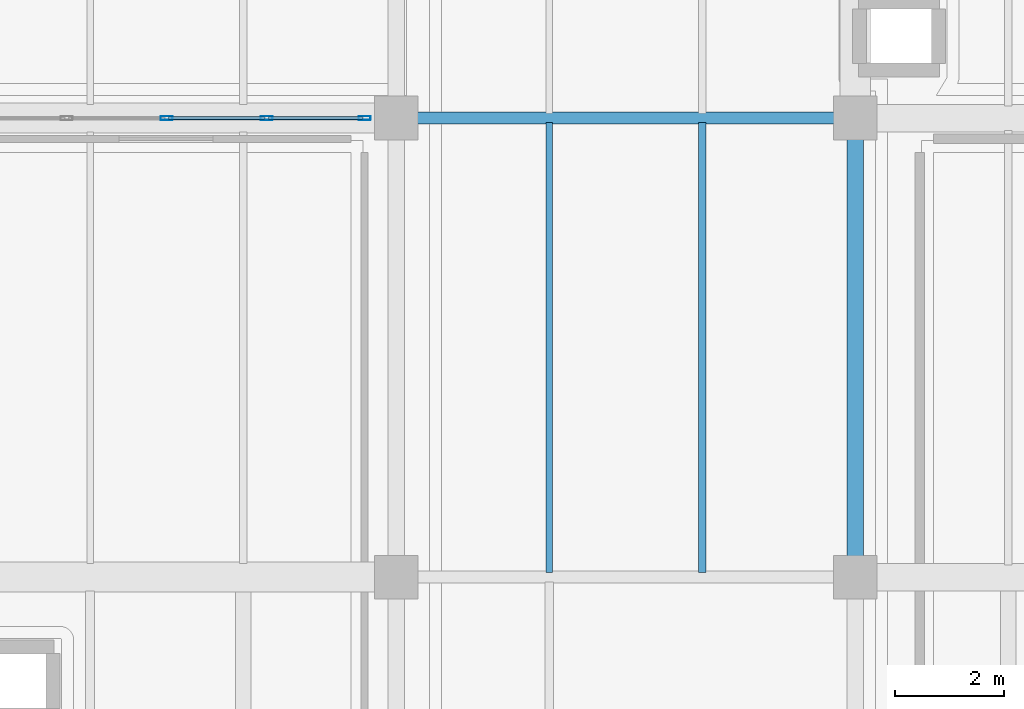
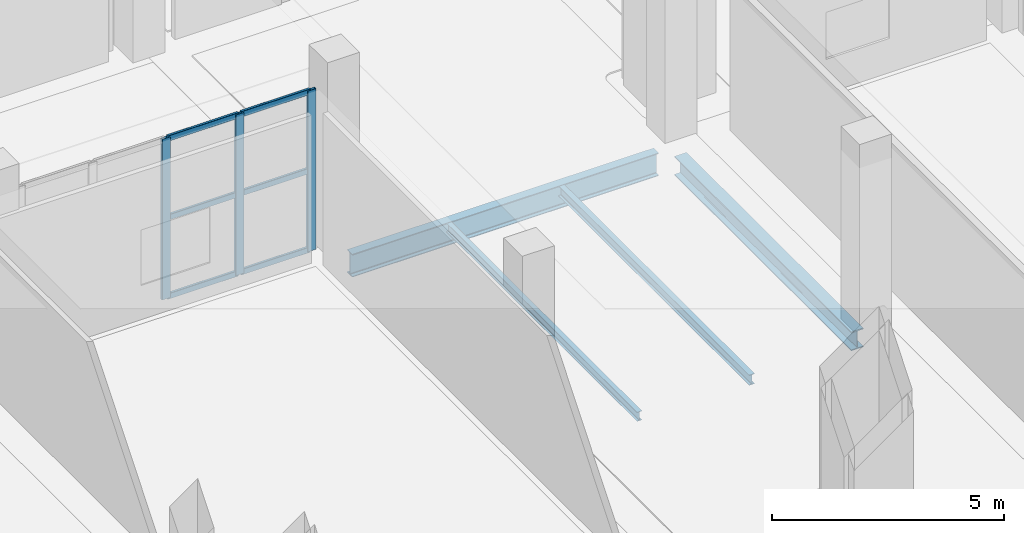
# One storey, part 34 of 73: 9 members, 4 beams, 1 element without a shape of its own.
"""IFC4 building model written with IfcOpenShell, lengths in metres."""

from ifc_helpers import new_model, si_unit, direction, frame, origin, origin_2d, place, context, subcontext, project, spatial, hollow_rectangle, i_section, extrude, material, layer, layer_set, material_profile, profile_set, type_object, element, aggregate, save


model = new_model("IFC4")

# Units and contexts
model_context = context("Model", 3, precision=1e-05, world=origin(), true_north=direction((0.0, 1.0)))
body_context = subcontext(model_context, "Body", "Model", "MODEL_VIEW")
ifc_project = project(units=[si_unit("LENGTHUNIT", "METRE"), si_unit("AREAUNIT", "SQUARE_METRE"), si_unit("VOLUMEUNIT", "CUBIC_METRE"), si_unit("PLANEANGLEUNIT", "RADIAN"), si_unit("MASSUNIT", "GRAM", prefix="KILO")], contexts=[model_context])

# Site, building, storey
site_placement = place(None, origin())
site = spatial("IfcSite", under=ifc_project, at=site_placement, CompositionType="ELEMENT")
building_placement = place(site_placement, origin())
building = spatial("IfcBuilding", under=site, at=building_placement, Name="Zulmaris Art Gallery", CompositionType="ELEMENT")
storey_placement = place(building_placement, frame((0.0, 0.0, 10.5)))
storey = spatial("IfcBuildingStorey", under=building, at=storey_placement, Name="L02", CompositionType="ELEMENT", Elevation=10.5)

# Beams
ifc_material_1 = material(Name="Steel S355J2", Category="steel")
ifc_material_profile_1 = material_profile(ifc_material_1, i_section(OverallWidth=0.219970703125, OverallDepth=0.60009765625, WebThickness=0.011962890625, FlangeThickness=0.01904296875, FilletRadius=0.02392578125, at=origin_2d()), Name="IPE 600")
ifc_profile_set_1 = profile_set([ifc_material_profile_1], Name="Steel S355J2")
beam_type_1 = type_object("IfcBeamType", Name="BEAM-BM07", PredefinedType="BEAM", material=ifc_profile_set_1)
beam_1_placement = place(storey_placement, frame((141.985107421875, 58.800048828125, -0.695068359375), z_axis=(1.0, 0.0, 0.0), x_axis=(0.0, 1.0, 0.0)))
element("IfcBeam", 1, at=beam_1_placement, inside=storey, type_object=beam_type_1, Name="L02 X-girder (141.6..150.0, y=58.8)", PredefinedType="BEAM", context=body_context, shape_type="SweptSolid", body=[
    extrude(i_section(OverallWidth=0.219970703125, OverallDepth=0.60009765625, WebThickness=0.011962890625, FlangeThickness=0.01904296875, FilletRadius=0.02392578125, at=origin_2d()), origin(), (0.0, 0.0, 1.0), 7.6298828125),
])
ifc_material_profile_2 = material_profile(ifc_material_1, i_section(OverallWidth=0.300048828125, OverallDepth=0.5, WebThickness=0.014404296875, FlangeThickness=0.028076171875, FilletRadius=0.027099609375, at=origin_2d()), Name="HEB 500")
ifc_profile_set_2 = profile_set([ifc_material_profile_2], Name="Steel S355J2")
beam_type_2 = type_object("IfcBeamType", Name="BEAM-BM14", PredefinedType="BEAM", material=ifc_profile_set_2)
beam_2_placement = place(storey_placement, frame((150.0, 50.784912109375, -0.64501953125), z_axis=(0.0, 1.0, 0.0), x_axis=(-1.0, 0.0, 0.0)))
element("IfcBeam", 2, at=beam_2_placement, inside=storey, type_object=beam_type_2, Name="L02 Y-girder (x=150.0, 50.4..58.8)", PredefinedType="BEAM", context=body_context, shape_type="SweptSolid", body=[
    extrude(i_section(OverallWidth=0.300048828125, OverallDepth=0.5, WebThickness=0.014404296875, FlangeThickness=0.028076171875, FilletRadius=0.027099609375, at=origin_2d()), origin(), (0.0, 0.0, 1.0), 7.630126953125),
])
ifc_material_profile_3 = material_profile(ifc_material_1, i_section(OverallWidth=0.1201171875, OverallDepth=0.239990234375, WebThickness=0.006103515625, FlangeThickness=0.009765625, FilletRadius=0.014892578125, at=origin_2d()), Name="IPE 240")
ifc_profile_set_3 = profile_set([ifc_material_profile_3], Name="Steel S355J2")
beam_type_3 = type_object("IfcBeamType", Name="BEAM-JS01", PredefinedType="JOIST", material=ifc_profile_set_3)
beam_3_placement = place(storey_placement, frame((144.39990234375, 50.485107421875, -0.52001953125), z_axis=(0.0, 1.0, 0.0), x_axis=(-1.0, 0.0, 0.0)))
element("IfcBeam", 3, at=beam_3_placement, inside=storey, type_object=beam_type_3, Name="L02 secondary joist at x=144.4", PredefinedType="JOIST", context=body_context, shape_type="SweptSolid", body=[
    extrude(i_section(OverallWidth=0.1201171875, OverallDepth=0.239990234375, WebThickness=0.006103515625, FlangeThickness=0.009765625, FilletRadius=0.014892578125, at=origin_2d()), origin(), (0.0, 0.0, 1.0), 8.22998046875),
])
ifc_material_profile_4 = material_profile(ifc_material_1, i_section(OverallWidth=0.135009765625, OverallDepth=0.27001953125, WebThickness=0.006591796875, FlangeThickness=0.01025390625, FilletRadius=0.014892578125, at=origin_2d()), Name="IPE 270")
ifc_profile_set_4 = profile_set([ifc_material_profile_4], Name="Steel S355J2")
beam_type_4 = type_object("IfcBeamType", Name="BEAM-JS02", PredefinedType="JOIST", material=ifc_profile_set_4)
beam_4_placement = place(storey_placement, frame((147.199951171875, 50.485107421875, -0.534912109375), z_axis=(0.0, 1.0, 0.0), x_axis=(-1.0, 0.0, 0.0)))
element("IfcBeam", 4, at=beam_4_placement, inside=storey, type_object=beam_type_4, Name="L02 secondary joist at x=147.2", PredefinedType="JOIST", context=body_context, shape_type="SweptSolid", body=[
    extrude(i_section(OverallWidth=0.135009765625, OverallDepth=0.27001953125, WebThickness=0.006591796875, FlangeThickness=0.01025390625, FilletRadius=0.014892578125, at=origin_2d()), origin(), (0.0, 0.0, 1.0), 8.22998046875),
])

# Curtain wall, members
ifc_material_2 = material(Name="Unitised Low-E Gallery Curtain Wall", Category="aluminium")
ifc_layer = layer(ifc_material_2, 0.179931640625)
ifc_layer_set = layer_set([ifc_layer], Name="Unitised Low-E Gallery Curtain Wall")
curtain_wall_type = type_object("IfcCurtainWallType", Name="CW-CW01", PredefinedType="NOTDEFINED", material=ifc_layer_set)
curtain_wall_placement = place(storey_placement, origin())
curtain_wall = element("IfcCurtainWall", 5, at=curtain_wall_placement, inside=storey, type_object=curtain_wall_type, Name="L02 curtain wall 109", PredefinedType="NOTDEFINED")
ifc_material_3 = material(Name="Anodised Bronze Aluminium", Category="aluminium")
ifc_material_profile_5 = material_profile(ifc_material_3, hollow_rectangle(XDim=0.074951171875, YDim=0.219970703125, WallThickness=0.0048828125, InnerFilletRadius=0.007568359375, OuterFilletRadius=0.012451171875, at=origin_2d()), Name="ALU 75x220x5")
ifc_profile_set_5 = profile_set([ifc_material_profile_5], Name="Anodised Bronze Aluminium")
member_type_1 = type_object("IfcMemberType", Name="CWMUL-02", PredefinedType="MULLION", material=ifc_profile_set_5)
member_1_placement = place(storey_placement, frame((137.39990234375, 58.800048828125, 0.0), z_axis=(0.0, 0.0, 1.0), x_axis=(0.0, 1.0, 0.0)))
member_1 = element("IfcMember", 6, at=member_1_placement, type_object=member_type_1, Name="CW01 mullion 3", PredefinedType="MULLION", context=body_context, shape_type="SweptSolid", body=[
    extrude(hollow_rectangle(XDim=0.074951171875, YDim=0.219970703125, WallThickness=0.0048828125, InnerFilletRadius=0.007568359375, OuterFilletRadius=0.012451171875, at=origin_2d()), origin(), (0.0, 0.0, 1.0), 4.22998046875),
])
member_2_placement = place(storey_placement, frame((139.22998046875, 58.800048828125, 0.0), z_axis=(0.0, 0.0, 1.0), x_axis=(0.0, 1.0, 0.0)))
member_2 = element("IfcMember", 7, at=member_2_placement, type_object=member_type_1, Name="CW01 mullion 4", PredefinedType="MULLION", context=body_context, shape_type="SweptSolid", body=[
    extrude(hollow_rectangle(XDim=0.074951171875, YDim=0.219970703125, WallThickness=0.0048828125, InnerFilletRadius=0.007568359375, OuterFilletRadius=0.012451171875, at=origin_2d()), origin(), (0.0, 0.0, 1.0), 4.22998046875),
])
member_3_placement = place(storey_placement, frame((141.0224609375, 58.800048828125, 0.0), z_axis=(0.0, 0.0, 1.0), x_axis=(0.0, 1.0, 0.0)))
member_3 = element("IfcMember", 8, at=member_3_placement, type_object=member_type_1, Name="CW01 mullion 5", PredefinedType="MULLION", context=body_context, shape_type="SweptSolid", body=[
    extrude(hollow_rectangle(XDim=0.074951171875, YDim=0.219970703125, WallThickness=0.0048828125, InnerFilletRadius=0.007568359375, OuterFilletRadius=0.012451171875, at=origin_2d()), origin(), (0.0, 0.0, 1.0), 4.22998046875),
])
ifc_material_profile_6 = material_profile(ifc_material_3, hollow_rectangle(XDim=0.06494140625, YDim=0.14990234375, WallThickness=0.00390625, InnerFilletRadius=0.006103515625, OuterFilletRadius=0.010009765625, at=origin_2d()), Name="ALU 65x150x4")
ifc_profile_set_6 = profile_set([ifc_material_profile_6], Name="Anodised Bronze Aluminium")
member_type_2 = type_object("IfcMemberType", Name="CWTRN-01", PredefinedType="USERDEFINED", material=ifc_profile_set_6)
member_4_placement = place(storey_placement, frame((137.4375, 58.800048828125, 0.03759765625), z_axis=(1.0, 0.0, 0.0), x_axis=(0.0, 1.0, 0.0)))
member_4 = element("IfcMember", 9, at=member_4_placement, type_object=member_type_2, Name="CW01 transom 3.1", ObjectType="TRANSOM", PredefinedType="USERDEFINED", context=body_context, shape_type="SweptSolid", body=[
    extrude(hollow_rectangle(XDim=0.06494140625, YDim=0.14990234375, WallThickness=0.00390625, InnerFilletRadius=0.006103515625, OuterFilletRadius=0.010009765625, at=origin_2d()), origin(), (0.0, 0.0, 1.0), 1.7548828125),
])
member_5_placement = place(storey_placement, frame((137.4375, 58.800048828125, 2.114990234375), z_axis=(1.0, 0.0, 0.0), x_axis=(0.0, 1.0, 0.0)))
member_5 = element("IfcMember", 10, at=member_5_placement, type_object=member_type_2, Name="CW01 transom 3.2", ObjectType="TRANSOM", PredefinedType="USERDEFINED", context=body_context, shape_type="SweptSolid", body=[
    extrude(hollow_rectangle(XDim=0.06494140625, YDim=0.14990234375, WallThickness=0.00390625, InnerFilletRadius=0.006103515625, OuterFilletRadius=0.010009765625, at=origin_2d()), origin(), (0.0, 0.0, 1.0), 1.7548828125),
])
member_6_placement = place(storey_placement, frame((137.4375, 58.800048828125, 4.1923828125), z_axis=(1.0, 0.0, 0.0), x_axis=(0.0, 1.0, 0.0)))
member_6 = element("IfcMember", 11, at=member_6_placement, type_object=member_type_2, Name="CW01 transom 3.3", ObjectType="TRANSOM", PredefinedType="USERDEFINED", context=body_context, shape_type="SweptSolid", body=[
    extrude(hollow_rectangle(XDim=0.06494140625, YDim=0.14990234375, WallThickness=0.00390625, InnerFilletRadius=0.006103515625, OuterFilletRadius=0.010009765625, at=origin_2d()), origin(), (0.0, 0.0, 1.0), 1.7548828125),
])
member_7_placement = place(storey_placement, frame((139.267578125, 58.800048828125, 0.03759765625), z_axis=(1.0, 0.0, 0.0), x_axis=(0.0, 1.0, 0.0)))
member_7 = element("IfcMember", 12, at=member_7_placement, type_object=member_type_2, Name="CW01 transom 4.1", ObjectType="TRANSOM", PredefinedType="USERDEFINED", context=body_context, shape_type="SweptSolid", body=[
    extrude(hollow_rectangle(XDim=0.06494140625, YDim=0.14990234375, WallThickness=0.00390625, InnerFilletRadius=0.006103515625, OuterFilletRadius=0.010009765625, at=origin_2d()), origin(), (0.0, 0.0, 1.0), 1.717529296875),
])
member_8_placement = place(storey_placement, frame((139.267578125, 58.800048828125, 2.114990234375), z_axis=(1.0, 0.0, 0.0), x_axis=(0.0, 1.0, 0.0)))
member_8 = element("IfcMember", 13, at=member_8_placement, type_object=member_type_2, Name="CW01 transom 4.2", ObjectType="TRANSOM", PredefinedType="USERDEFINED", context=body_context, shape_type="SweptSolid", body=[
    extrude(hollow_rectangle(XDim=0.06494140625, YDim=0.14990234375, WallThickness=0.00390625, InnerFilletRadius=0.006103515625, OuterFilletRadius=0.010009765625, at=origin_2d()), origin(), (0.0, 0.0, 1.0), 1.717529296875),
])
member_9_placement = place(storey_placement, frame((139.267578125, 58.800048828125, 4.1923828125), z_axis=(1.0, 0.0, 0.0), x_axis=(0.0, 1.0, 0.0)))
member_9 = element("IfcMember", 14, at=member_9_placement, type_object=member_type_2, Name="CW01 transom 4.3", ObjectType="TRANSOM", PredefinedType="USERDEFINED", context=body_context, shape_type="SweptSolid", body=[
    extrude(hollow_rectangle(XDim=0.06494140625, YDim=0.14990234375, WallThickness=0.00390625, InnerFilletRadius=0.006103515625, OuterFilletRadius=0.010009765625, at=origin_2d()), origin(), (0.0, 0.0, 1.0), 1.717529296875),
])
aggregate(curtain_wall, [member_1, member_2, member_3, member_4, member_5, member_6, member_7, member_8, member_9])

save(model, "model.ifc")
